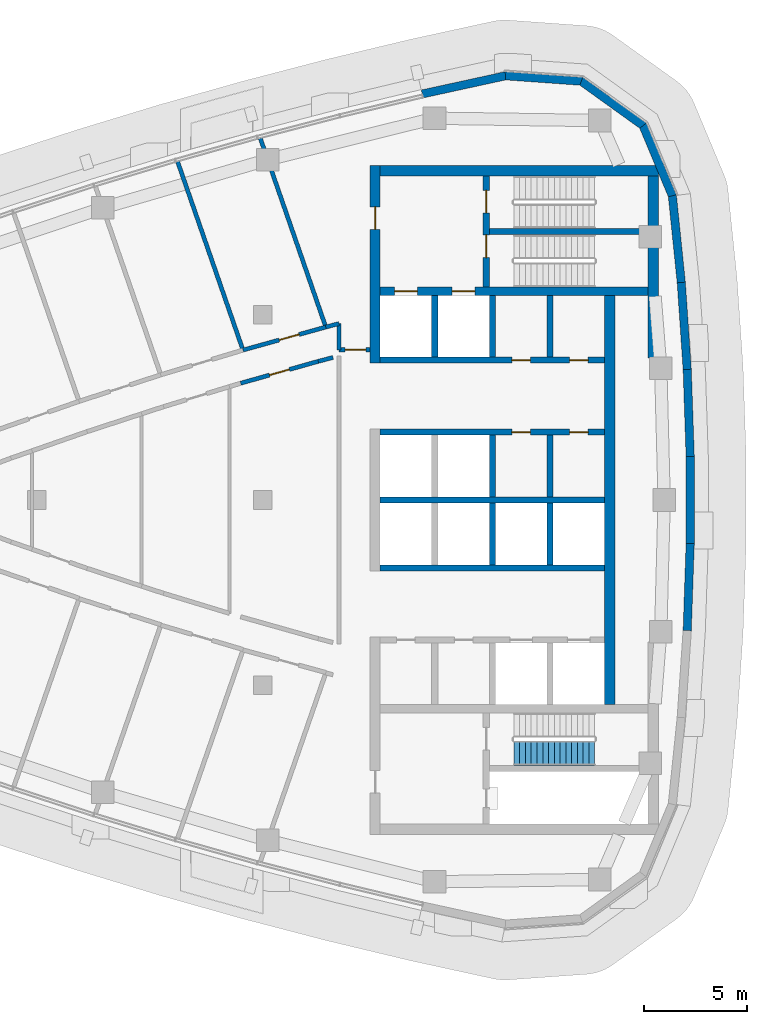
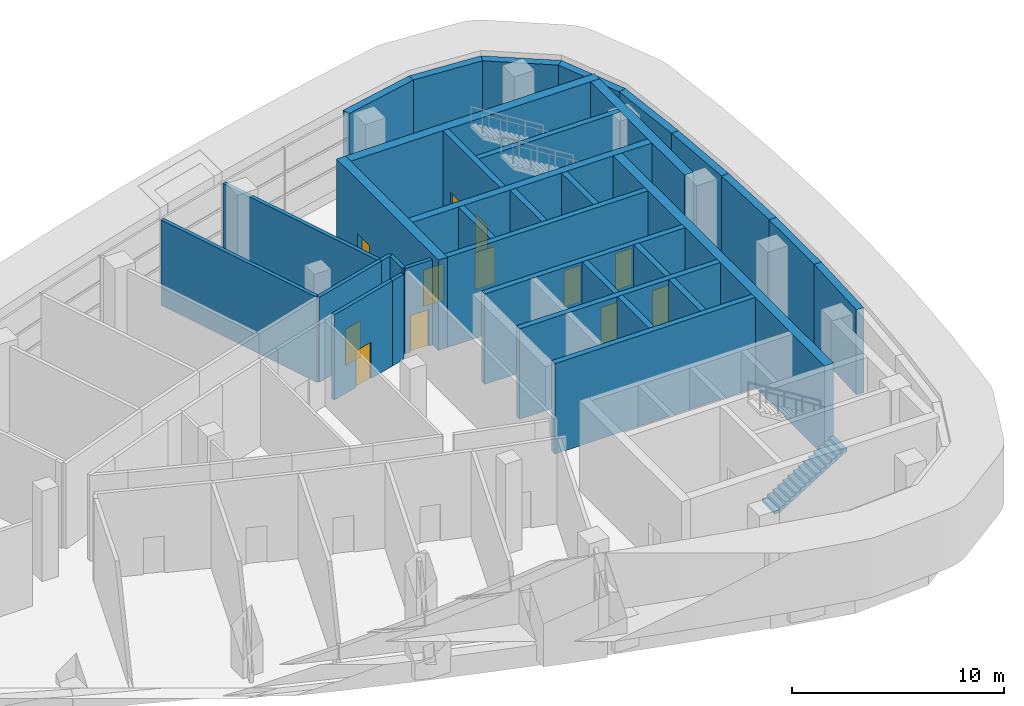
# One storey, part 9 of 14: 35 walls, 12 doors, 1 stair flight, 12 openings, 1 element without a shape of its own.
"""IFC4 building model written with IfcOpenShell, lengths in metres."""

from ifc_helpers import new_model, si_unit, direction, frame, frame_2d, origin, place, context, subcontext, project, spatial, polyline, rectangle, outline, extrude, material, layer, layer_set, type_object, element, fill, aggregate, save


model = new_model("IFC4")

# Units and contexts
model_context = context("Model", 3, precision=1e-05, world=origin(), true_north=direction((0.0, 1.0)))
body_context = subcontext(model_context, "Body", "Model", "MODEL_VIEW")
ifc_project = project(units=[si_unit("LENGTHUNIT", "METRE"), si_unit("AREAUNIT", "SQUARE_METRE"), si_unit("VOLUMEUNIT", "CUBIC_METRE"), si_unit("PLANEANGLEUNIT", "RADIAN"), si_unit("MASSUNIT", "GRAM", prefix="KILO")], contexts=[model_context])

# Site, building, storey
site_placement = place(None, origin())
site = spatial("IfcSite", under=ifc_project, at=site_placement, CompositionType="ELEMENT")
building_placement = place(site_placement, origin())
building = spatial("IfcBuilding", under=site, at=building_placement, Name="Ostrand Prow Hotel Tower", CompositionType="ELEMENT")
storey_placement = place(building_placement, frame((0.0, 0.0, 303.39990234375)))
storey = spatial("IfcBuildingStorey", under=building, at=storey_placement, Name="L77", CompositionType="ELEMENT", Elevation=303.39990234375)

# Wall
ifc_material_1 = material(Name="Concrete C50/60", Category="concrete")
ifc_layer_1 = layer(ifc_material_1, 0.300048828125)
ifc_layer_set_1 = layer_set([ifc_layer_1], Name="Concrete C50/60")
wall_type_1 = type_object("IfcWallType", Name="Core wall 300 C50/60", PredefinedType="SHEAR", material=ifc_layer_set_1)
wall_1_placement = place(storey_placement, frame((50.699951171875, 0.0, 0.0), z_axis=(0.0, 0.0, 1.0), x_axis=(1.0, 0.0, 0.0)))
element("IfcWall", 1, at=wall_1_placement, inside=storey, type_object=wall_type_1, Name="Core wall PW-C", PredefinedType="SHEAR", context=body_context, shape_type="SweptSolid", body=[
    extrude(rectangle(XDim=10.900146484375, YDim=0.300048828125, at=frame_2d((5.4501953125, 0.0))), origin(), (0.0, 0.0, 1.0), 5.2001953125),
])

# Wall, openings, doors
wall_2_placement = place(storey_placement, frame((50.699951171875, 3.300048828125, 0.0), z_axis=(0.0, 0.0, 1.0), x_axis=(1.0, 0.0, 0.0)))
wall_2 = element("IfcWall", 2, at=wall_2_placement, inside=storey, type_object=wall_type_1, Name="Core wall PW-L1-N", PredefinedType="SHEAR", context=body_context, shape_type="SweptSolid", body=[
    extrude(rectangle(XDim=10.900146484375, YDim=0.300048828125, at=frame_2d((5.4501953125, 0.0))), origin(), (0.0, 0.0, 1.0), 5.2001953125),
])
opening_1_placement = place(wall_2_placement, frame((6.39990234375, 0.0, 0.0)))
opening_1 = element("IfcOpeningElement", 3, at=opening_1_placement, cuts=wall_2, Name="Opening FD2", PredefinedType="OPENING", context=body_context, shape_type="SweptSolid", body=[
    extrude(rectangle(XDim=0.89990234375, YDim=2.10009765625, at=frame_2d((0.449951171875, 1.050048828125))), frame((0.0, 0.159912109375, 0.0), z_axis=(0.0, -1.0, 0.0), x_axis=(1.0, 0.0, 0.0)), (0.0, 0.0, 1.0), 0.320068359375),
])
opening_2_placement = place(wall_2_placement, frame((9.199951171875, 0.0, 0.0)))
opening_2 = element("IfcOpeningElement", 4, at=opening_2_placement, cuts=wall_2, Name="Opening FD2", PredefinedType="OPENING", context=body_context, shape_type="SweptSolid", body=[
    extrude(rectangle(XDim=0.89990234375, YDim=2.10009765625, at=frame_2d((0.449951171875, 1.050048828125))), frame((0.0, 0.159912109375, 0.0), z_axis=(0.0, -1.0, 0.0), x_axis=(1.0, 0.0, 0.0)), (0.0, 0.0, 1.0), 0.320068359375),
])
ifc_material_2 = material(Name="Steel fire door", Category="steel")
door_type_1 = type_object("IfcDoorType", Name="Fire door 900 EI120", OperationType="SINGLE_SWING_LEFT", PredefinedType="DOOR", material=ifc_material_2)
door_1_placement = place(opening_1_placement, origin())
door_1 = element("IfcDoor", 5, at=door_1_placement, inside=storey, type_object=door_type_1, Name="DOOR", OperationType="SINGLE_SWING_LEFT", OverallHeight=2.10009765625, OverallWidth=0.89990234375, PredefinedType="DOOR", context=body_context, shape_type="SweptSolid", body=[
    extrude(rectangle(XDim=0.89990234375, YDim=2.10009765625, at=frame_2d((0.449951171875, 1.050048828125))), frame((0.0, 0.02490234375, 0.0), z_axis=(0.0, -1.0, 0.0), x_axis=(1.0, 0.0, 0.0)), (0.0, 0.0, 1.0), 0.050048828125),
])
fill(opening_1, door_1)
door_2_placement = place(opening_2_placement, origin())
door_2 = element("IfcDoor", 6, at=door_2_placement, inside=storey, type_object=door_type_1, Name="DOOR", OperationType="SINGLE_SWING_LEFT", OverallHeight=2.10009765625, OverallWidth=0.89990234375, PredefinedType="DOOR", context=body_context, shape_type="SweptSolid", body=[
    extrude(rectangle(XDim=0.89990234375, YDim=2.10009765625, at=frame_2d((0.449951171875, 1.050048828125))), frame((0.0, 0.02490234375, 0.0), z_axis=(0.0, -1.0, 0.0), x_axis=(1.0, 0.0, 0.0)), (0.0, 0.0, 1.0), 0.050048828125),
])
fill(opening_2, door_2)

wall_3_placement = place(storey_placement, frame((50.699951171875, 6.800048828125, 0.0), z_axis=(0.0, 0.0, 1.0), x_axis=(1.0, 0.0, 0.0)))
wall_3 = element("IfcWall", 7, at=wall_3_placement, inside=storey, type_object=wall_type_1, Name="Core wall PW-L2-N", PredefinedType="SHEAR", context=body_context, shape_type="SweptSolid", body=[
    extrude(rectangle(XDim=10.900146484375, YDim=0.300048828125, at=frame_2d((5.4501953125, 0.0))), origin(), (0.0, 0.0, 1.0), 5.2001953125),
])
opening_3_placement = place(wall_3_placement, frame((6.39990234375, 0.0, 0.0)))
opening_3 = element("IfcOpeningElement", 8, at=opening_3_placement, cuts=wall_3, Name="Opening FD2", PredefinedType="OPENING", context=body_context, shape_type="SweptSolid", body=[
    extrude(rectangle(XDim=0.89990234375, YDim=2.10009765625, at=frame_2d((0.449951171875, 1.050048828125))), frame((0.0, 0.159912109375, 0.0), z_axis=(0.0, -1.0, 0.0), x_axis=(1.0, 0.0, 0.0)), (0.0, 0.0, 1.0), 0.320068359375),
])
opening_4_placement = place(wall_3_placement, frame((9.199951171875, 0.0, 0.0)))
opening_4 = element("IfcOpeningElement", 9, at=opening_4_placement, cuts=wall_3, Name="Opening FD2", PredefinedType="OPENING", context=body_context, shape_type="SweptSolid", body=[
    extrude(rectangle(XDim=0.89990234375, YDim=2.10009765625, at=frame_2d((0.449951171875, 1.050048828125))), frame((0.0, 0.159912109375, 0.0), z_axis=(0.0, -1.0, 0.0), x_axis=(1.0, 0.0, 0.0)), (0.0, 0.0, 1.0), 0.320068359375),
])
door_3_placement = place(opening_3_placement, origin())
door_3 = element("IfcDoor", 10, at=door_3_placement, inside=storey, type_object=door_type_1, Name="DOOR", OperationType="SINGLE_SWING_LEFT", OverallHeight=2.10009765625, OverallWidth=0.89990234375, PredefinedType="DOOR", context=body_context, shape_type="SweptSolid", body=[
    extrude(rectangle(XDim=0.89990234375, YDim=2.10009765625, at=frame_2d((0.449951171875, 1.050048828125))), frame((0.0, 0.02490234375, 0.0), z_axis=(0.0, -1.0, 0.0), x_axis=(1.0, 0.0, 0.0)), (0.0, 0.0, 1.0), 0.050048828125),
])
fill(opening_3, door_3)
door_4_placement = place(opening_4_placement, origin())
door_4 = element("IfcDoor", 11, at=door_4_placement, inside=storey, type_object=door_type_1, Name="DOOR", OperationType="SINGLE_SWING_LEFT", OverallHeight=2.10009765625, OverallWidth=0.89990234375, PredefinedType="DOOR", context=body_context, shape_type="SweptSolid", body=[
    extrude(rectangle(XDim=0.89990234375, YDim=2.10009765625, at=frame_2d((0.449951171875, 1.050048828125))), frame((0.0, 0.02490234375, 0.0), z_axis=(0.0, -1.0, 0.0), x_axis=(1.0, 0.0, 0.0)), (0.0, 0.0, 1.0), 0.050048828125),
])
fill(opening_4, door_4)

# Walls
for number, where, z_axis, x_axis, name in (
    (12, (53.35009765625, 6.949951171875, 0.0), (0.0, 0.0, 1.0), (0.0, 1.0, 0.0), "Core wall PW-R1-NA"),
    (13, (56.14990234375, 0.14990234375, 0.0), (0.0, 0.0, 1.0), (0.0, 1.0, 0.0), "Core wall PW-R2-NB"),
    (14, (56.14990234375, 6.949951171875, 0.0), (0.0, 0.0, 1.0), (0.0, 1.0, 0.0), "Core wall PW-R2-NA"),
    (15, (58.949951171875, 0.14990234375, 0.0), (0.0, 0.0, 1.0), (0.0, 1.0, 0.0), "Core wall PW-R3-NB"),
    (16, (58.949951171875, 6.949951171875, 0.0), (0.0, 0.0, 1.0), (0.0, 1.0, 0.0), "Core wall PW-R3-NA"),
):
    element("IfcWall", number, at=place(storey_placement, frame(where, z_axis=z_axis, x_axis=x_axis)), inside=storey, type_object=wall_type_1, Name=name, PredefinedType="SHEAR", context=body_context, shape_type="SweptSolid", body=[
        extrude(rectangle(XDim=3.0, YDim=0.300048828125, at=frame_2d((1.5, 0.0))), origin(), (0.0, 0.0, 1.0), 5.2001953125),
    ])
wall_4_placement = place(storey_placement, frame((50.699951171875, -3.300048828125, 0.0), z_axis=(0.0, 0.0, 1.0), x_axis=(1.0, 0.0, 0.0)))
element("IfcWall", 17, at=wall_4_placement, inside=storey, type_object=wall_type_1, Name="Core wall PW-L1-S", PredefinedType="SHEAR", context=body_context, shape_type="SweptSolid", body=[
    extrude(rectangle(XDim=10.900146484375, YDim=0.300048828125, at=frame_2d((5.4501953125, 0.0))), origin(), (0.0, 0.0, 1.0), 5.2001953125),
])
for number, where, z_axis, x_axis, name in (
    (18, (56.14990234375, -3.14990234375, 0.0), (0.0, 0.0, 1.0), (0.0, 1.0, 0.0), "Core wall PW-R2-SB"),
    (19, (58.949951171875, -3.14990234375, 0.0), (0.0, 0.0, 1.0), (0.0, 1.0, 0.0), "Core wall PW-R3-SB"),
):
    element("IfcWall", number, at=place(storey_placement, frame(where, z_axis=z_axis, x_axis=x_axis)), inside=storey, type_object=wall_type_1, Name=name, PredefinedType="SHEAR", context=body_context, shape_type="SweptSolid", body=[
        extrude(rectangle(XDim=3.0, YDim=0.300048828125, at=frame_2d((1.5, 0.0))), origin(), (0.0, 0.0, 1.0), 5.2001953125),
    ])

# Wall, openings, doors
wall_5_placement = place(storey_placement, frame((55.85009765625, 10.35009765625, 0.0), z_axis=(0.0, 0.0, 1.0), x_axis=(0.0, 1.0, 0.0)))
wall_5 = element("IfcWall", 20, at=wall_5_placement, inside=storey, type_object=wall_type_1, Name="Core wall PW-VN", PredefinedType="SHEAR", context=body_context, shape_type="SweptSolid", body=[
    extrude(rectangle(XDim=5.39990234375, YDim=0.300048828125, at=frame_2d((2.699951171875, 0.0))), origin(), (0.0, 0.0, 1.0), 5.2001953125),
])
opening_5_placement = place(wall_5_placement, frame((1.429931640625, 0.0, 0.0)))
opening_5 = element("IfcOpeningElement", 21, at=opening_5_placement, cuts=wall_5, Name="Opening FD1", PredefinedType="OPENING", context=body_context, shape_type="SweptSolid", body=[
    extrude(rectangle(XDim=1.10009765625, YDim=2.10009765625, at=frame_2d((0.550048828125, 1.050048828125))), frame((0.0, 0.159912109375, 0.0), z_axis=(0.0, -1.0, 0.0), x_axis=(1.0, 0.0, 0.0)), (0.0, 0.0, 1.0), 0.320068359375),
])
opening_6_placement = place(wall_5_placement, frame((3.60009765625, 0.0, 0.0)))
opening_6 = element("IfcOpeningElement", 22, at=opening_6_placement, cuts=wall_5, Name="Opening FD1", PredefinedType="OPENING", context=body_context, shape_type="SweptSolid", body=[
    extrude(rectangle(XDim=1.10009765625, YDim=2.10009765625, at=frame_2d((0.550048828125, 1.050048828125))), frame((0.0, 0.159912109375, 0.0), z_axis=(0.0, -1.0, 0.0), x_axis=(1.0, 0.0, 0.0)), (0.0, 0.0, 1.0), 0.320068359375),
])
ifc_material_3 = material(Name="Steel fire door", Category="steel")
door_type_2 = type_object("IfcDoorType", Name="Fire door 1100 EI120", OperationType="SINGLE_SWING_RIGHT", PredefinedType="DOOR", material=ifc_material_3)
door_5_placement = place(opening_5_placement, origin())
door_5 = element("IfcDoor", 23, at=door_5_placement, inside=storey, type_object=door_type_2, Name="FIRE DOOR", OperationType="SINGLE_SWING_RIGHT", OverallHeight=2.10009765625, OverallWidth=1.10009765625, PredefinedType="DOOR", context=body_context, shape_type="SweptSolid", body=[
    extrude(rectangle(XDim=1.10009765625, YDim=2.10009765625, at=frame_2d((0.550048828125, 1.050048828125))), frame((0.0, 0.02490234375, 0.0), z_axis=(0.0, -1.0, 0.0), x_axis=(1.0, 0.0, 0.0)), (0.0, 0.0, 1.0), 0.050048828125),
])
fill(opening_5, door_5)
door_6_placement = place(opening_6_placement, origin())
door_6 = element("IfcDoor", 24, at=door_6_placement, inside=storey, type_object=door_type_2, Name="FIRE DOOR", OperationType="SINGLE_SWING_RIGHT", OverallHeight=2.10009765625, OverallWidth=1.10009765625, PredefinedType="DOOR", context=body_context, shape_type="SweptSolid", body=[
    extrude(rectangle(XDim=1.10009765625, YDim=2.10009765625, at=frame_2d((0.550048828125, 1.050048828125))), frame((0.0, 0.02490234375, 0.0), z_axis=(0.0, -1.0, 0.0), x_axis=(1.0, 0.0, 0.0)), (0.0, 0.0, 1.0), 0.050048828125),
])
fill(opening_6, door_6)

# Wall
wall_6_placement = place(storey_placement, frame((56.0, 13.050048828125, 0.0), z_axis=(0.0, 0.0, 1.0), x_axis=(1.0, 0.0, 0.0)))
element("IfcWall", 25, at=wall_6_placement, inside=storey, type_object=wall_type_1, Name="Core wall PW-ST13", PredefinedType="SHEAR", context=body_context, shape_type="SweptSolid", body=[
    extrude(rectangle(XDim=7.719970703125, YDim=0.300048828125, at=frame_2d((3.85986328125, 0.0))), origin(), (0.0, 0.0, 1.0), 5.2001953125),
])

# Wall, openings, doors
ifc_material_4 = material(Name="Concrete C50/60", Category="concrete")
ifc_layer_2 = layer(ifc_material_4, 0.39990234375)
ifc_layer_set_2 = layer_set([ifc_layer_2], Name="Concrete C50/60")
wall_type_2 = type_object("IfcWallType", Name="Core wall 400 C50/60", PredefinedType="SHEAR", material=ifc_layer_set_2)
wall_7_placement = place(storey_placement, frame((50.699951171875, 10.14990234375, 0.0), z_axis=(0.0, 0.0, 1.0), x_axis=(1.0, 0.0, 0.0)))
wall_7 = element("IfcWall", 26, at=wall_7_placement, inside=storey, type_object=wall_type_2, Name="Core wall PW-BN", PredefinedType="SHEAR", context=body_context, shape_type="SweptSolid", body=[
    extrude(rectangle(XDim=13.02001953125, YDim=0.39990234375, at=frame_2d((6.510009765625, 0.0))), origin(), (0.0, 0.0, 1.0), 5.2001953125),
])
opening_7_placement = place(wall_7_placement, frame((0.699951171875, 0.0, 0.0)))
opening_7 = element("IfcOpeningElement", 27, at=opening_7_placement, cuts=wall_7, Name="Opening LD", PredefinedType="OPENING", context=body_context, shape_type="SweptSolid", body=[
    extrude(rectangle(XDim=1.10009765625, YDim=2.10009765625, at=frame_2d((0.550048828125, 1.050048828125))), frame((0.0, 0.2099609375, 0.0), z_axis=(0.0, -1.0, 0.0), x_axis=(1.0, 0.0, 0.0)), (0.0, 0.0, 1.0), 0.419921875),
])
opening_8_placement = place(wall_7_placement, frame((3.5, 0.0, 0.0)))
opening_8 = element("IfcOpeningElement", 28, at=opening_8_placement, cuts=wall_7, Name="Opening LD", PredefinedType="OPENING", context=body_context, shape_type="SweptSolid", body=[
    extrude(rectangle(XDim=1.10009765625, YDim=2.10009765625, at=frame_2d((0.550048828125, 1.050048828125))), frame((0.0, 0.2099609375, 0.0), z_axis=(0.0, -1.0, 0.0), x_axis=(1.0, 0.0, 0.0)), (0.0, 0.0, 1.0), 0.419921875),
])
ifc_material_5 = material(Name="Stainless steel door", Category="steel")
door_type_3 = type_object("IfcDoorType", Name="Lift landing door 1100", OperationType="DOUBLE_DOOR_SLIDING", PredefinedType="DOOR", material=ifc_material_5)
door_7_placement = place(opening_7_placement, origin())
door_7 = element("IfcDoor", 29, at=door_7_placement, inside=storey, type_object=door_type_3, Name="LIFT LANDING DOOR", OperationType="DOUBLE_DOOR_SLIDING", OverallHeight=2.10009765625, OverallWidth=1.10009765625, PredefinedType="DOOR", context=body_context, shape_type="SweptSolid", body=[
    extrude(rectangle(XDim=1.10009765625, YDim=2.10009765625, at=frame_2d((0.550048828125, 1.050048828125))), frame((0.0, 0.02490234375, 0.0), z_axis=(0.0, -1.0, 0.0), x_axis=(1.0, 0.0, 0.0)), (0.0, 0.0, 1.0), 0.050048828125),
])
fill(opening_7, door_7)
door_8_placement = place(opening_8_placement, origin())
door_8 = element("IfcDoor", 30, at=door_8_placement, inside=storey, type_object=door_type_3, Name="LIFT LANDING DOOR", OperationType="DOUBLE_DOOR_SLIDING", OverallHeight=2.10009765625, OverallWidth=1.10009765625, PredefinedType="DOOR", context=body_context, shape_type="SweptSolid", body=[
    extrude(rectangle(XDim=1.10009765625, YDim=2.10009765625, at=frame_2d((0.550048828125, 1.050048828125))), frame((0.0, 0.02490234375, 0.0), z_axis=(0.0, -1.0, 0.0), x_axis=(1.0, 0.0, 0.0)), (0.0, 0.0, 1.0), 0.050048828125),
])
fill(opening_8, door_8)

# Wall, opening, door
ifc_material_6 = material(Name="Concrete C50/60", Category="concrete")
ifc_layer_3 = layer(ifc_material_6, 0.5)
ifc_layer_set_3 = layer_set([ifc_layer_3], Name="Concrete C50/60")
wall_type_3 = type_object("IfcWallType", Name="Core wall 500 C50/60", PredefinedType="SHEAR", material=ifc_layer_set_3)
wall_8_placement = place(storey_placement, frame((50.449951171875, 6.64990234375, 0.0), z_axis=(0.0, 0.0, 1.0), x_axis=(0.0, 1.0, 0.0)))
wall_8 = element("IfcWall", 31, at=wall_8_placement, inside=storey, type_object=wall_type_3, Name="Core wall CW-W-N", PredefinedType="SHEAR", context=body_context, shape_type="SweptSolid", body=[
    extrude(rectangle(XDim=9.60009765625, YDim=0.5, at=frame_2d((4.800048828125, 0.0))), origin(), (0.0, 0.0, 1.0), 5.2001953125),
])
opening_9_placement = place(wall_8_placement, frame((6.5, 0.0, 0.0)))
opening_9 = element("IfcOpeningElement", 32, at=opening_9_placement, cuts=wall_8, Name="Opening FD1", PredefinedType="OPENING", context=body_context, shape_type="SweptSolid", body=[
    extrude(rectangle(XDim=1.10009765625, YDim=2.10009765625, at=frame_2d((0.550048828125, 1.050048828125))), frame((0.0, 0.260009765625, 0.0), z_axis=(0.0, -1.0, 0.0), x_axis=(1.0, 0.0, 0.0)), (0.0, 0.0, 1.0), 0.52001953125),
])
door_9_placement = place(opening_9_placement, origin())
door_9 = element("IfcDoor", 33, at=door_9_placement, inside=storey, type_object=door_type_2, Name="FIRE DOOR", OperationType="SINGLE_SWING_RIGHT", OverallHeight=2.10009765625, OverallWidth=1.10009765625, PredefinedType="DOOR", context=body_context, shape_type="SweptSolid", body=[
    extrude(rectangle(XDim=1.10009765625, YDim=2.10009765625, at=frame_2d((0.550048828125, 1.050048828125))), frame((0.0, 0.02490234375, 0.0), z_axis=(0.0, -1.0, 0.0), x_axis=(1.0, 0.0, 0.0)), (0.0, 0.0, 1.0), 0.050048828125),
])
fill(opening_9, door_9)

# Walls
wall_9_placement = place(storey_placement, frame((50.699951171875, 16.0, 0.0), z_axis=(0.0, 0.0, 1.0), x_axis=(1.0, 0.0, 0.0)))
element("IfcWall", 34, at=wall_9_placement, inside=storey, type_object=wall_type_3, Name="Core wall CW-N", PredefinedType="SHEAR", context=body_context, shape_type="SweptSolid", body=[
    extrude(rectangle(XDim=13.52001953125, YDim=0.5, at=frame_2d((6.760009765625, 0.0))), origin(), (0.0, 0.0, 1.0), 5.2001953125),
])
wall_10_placement = place(storey_placement, frame((63.969970703125, 6.9033203125, 0.0), z_axis=(0.0, 0.0, 1.0), x_axis=(0.0, 1.0, 0.0)))
element("IfcWall", 35, at=wall_10_placement, inside=storey, type_object=wall_type_3, Name="Core wall CW-E-N", PredefinedType="SHEAR", context=body_context, shape_type="SweptSolid", body=[
    extrude(rectangle(XDim=8.8466796875, YDim=0.5, at=frame_2d((4.42333984375, 0.0))), origin(), (0.0, 0.0, 1.0), 5.2001953125),
])
wall_11_placement = place(storey_placement, frame((61.85009765625, -9.949951171875, 0.0), z_axis=(0.0, 0.0, 1.0), x_axis=(0.0, 1.0, 0.0)))
element("IfcWall", 36, at=wall_11_placement, inside=storey, type_object=wall_type_3, Name="Core wall CW-E-C", PredefinedType="SHEAR", context=body_context, shape_type="SweptSolid", body=[
    extrude(rectangle(XDim=19.89990234375, YDim=0.5, at=frame_2d((9.949951171875, 0.0))), origin(), (0.0, 0.0, 1.0), 5.2001953125),
])

# Wall, opening, door
ifc_material_7 = material(Name="Plasterboard partition")
ifc_layer_4 = layer(ifc_material_7, 0.199951171875)
ifc_layer_set_4 = layer_set([ifc_layer_4], Name="Plasterboard partition")
wall_type_4 = type_object("IfcWallType", Name="Partition 200 corridor wall", PredefinedType="PARTITIONING", material=ifc_layer_set_4)
wall_12_placement = place(storey_placement, frame((48.055908203125, 8.4052734375, 0.0), z_axis=(0.0, 0.0, 1.0), x_axis=(-0.963429942227, -0.267960344866, 0.0)))
wall_12 = element("IfcWall", 37, at=wall_12_placement, inside=storey, type_object=wall_type_4, Name="CORRIDOR WALL", PredefinedType="PARTITIONING", context=body_context, shape_type="SweptSolid", body=[
    extrude(rectangle(XDim=4.177490234375, YDim=0.199951171875, at=frame_2d((2.0888671875, 0.0))), origin(), (0.0, 0.0, 1.0), 4.900146484375),
])
opening_10_placement = place(wall_12_placement, frame((1.35009765625, 0.0, 0.0)))
opening_10 = element("IfcOpeningElement", 38, at=opening_10_placement, cuts=wall_12, Name="Opening D1", PredefinedType="OPENING", context=body_context, shape_type="SweptSolid", body=[
    extrude(rectangle(XDim=1.0, YDim=2.10009765625, at=frame_2d((0.5, 1.050048828125))), frame((0.0, 0.10986328125, 0.0), z_axis=(0.0, -1.0, 0.0), x_axis=(1.0, 0.0, 0.0)), (0.0, 0.0, 1.0), 0.219970703125),
])
ifc_material_8 = material(Name="Timber door leaf", Category="wood")
door_type_4 = type_object("IfcDoorType", Name="Guest room door 1000", OperationType="SINGLE_SWING_LEFT", PredefinedType="DOOR", material=ifc_material_8)
door_10_placement = place(opening_10_placement, origin())
door_10 = element("IfcDoor", 39, at=door_10_placement, inside=storey, type_object=door_type_4, Name="DOOR", OperationType="SINGLE_SWING_LEFT", OverallHeight=2.10009765625, OverallWidth=1.0, PredefinedType="DOOR", context=body_context, shape_type="SweptSolid", body=[
    extrude(rectangle(XDim=1.0, YDim=2.10009765625, at=frame_2d((0.5, 1.050048828125))), frame((0.0, 0.02490234375, 0.0), z_axis=(0.0, -1.0, 0.0), x_axis=(1.0, 0.0, 0.0)), (0.0, 0.0, 1.0), 0.050048828125),
])
fill(opening_10, door_10)

# Wall
wall_13_placement = place(storey_placement, frame((48.699951171875, 8.5732421875, 0.0), z_axis=(0.0, 0.0, 1.0), x_axis=(-0.967632851671, -0.252362169048, 0.0)))
element("IfcWall", 40, at=wall_13_placement, inside=storey, type_object=wall_type_4, Name="CORRIDOR WALL", PredefinedType="PARTITIONING", context=body_context, shape_type="SweptSolid", body=[
    extrude(rectangle(XDim=0.66552734375, YDim=0.199951171875, at=frame_2d((0.332763671875, 0.0))), origin(), (0.0, 0.0, 1.0), 4.900146484375),
])

# Wall, opening, door
wall_14_placement = place(storey_placement, frame((43.91845703125, 5.6748046875, 0.0), z_axis=(0.0, 0.0, 1.0), x_axis=(0.962411212211, 0.271596499628, 0.0)))
wall_14 = element("IfcWall", 41, at=wall_14_placement, inside=storey, type_object=wall_type_4, Name="CORRIDOR WALL", PredefinedType="PARTITIONING", context=body_context, shape_type="SweptSolid", body=[
    extrude(rectangle(XDim=3.912841796875, YDim=0.199951171875, at=frame_2d((1.95654296875, 0.0))), origin(), (0.0, 0.0, 1.0), 4.900146484375),
])
opening_11_placement = place(wall_14_placement, frame((1.45654296875, 0.0, 0.0)))
opening_11 = element("IfcOpeningElement", 42, at=opening_11_placement, cuts=wall_14, Name="Opening D1R", PredefinedType="OPENING", context=body_context, shape_type="SweptSolid", body=[
    extrude(rectangle(XDim=1.0, YDim=2.10009765625, at=frame_2d((0.5, 1.050048828125))), frame((0.0, 0.10986328125, 0.0), z_axis=(0.0, -1.0, 0.0), x_axis=(1.0, 0.0, 0.0)), (0.0, 0.0, 1.0), 0.219970703125),
])
ifc_material_9 = material(Name="Timber door leaf", Category="wood")
door_type_5 = type_object("IfcDoorType", Name="Guest room door 1000 right", OperationType="SINGLE_SWING_RIGHT", PredefinedType="DOOR", material=ifc_material_9)
door_11_placement = place(opening_11_placement, origin())
door_11 = element("IfcDoor", 43, at=door_11_placement, inside=storey, type_object=door_type_5, Name="DOOR", OperationType="SINGLE_SWING_RIGHT", OverallHeight=2.10009765625, OverallWidth=1.0, PredefinedType="DOOR", context=body_context, shape_type="SweptSolid", body=[
    extrude(rectangle(XDim=1.0, YDim=2.10009765625, at=frame_2d((0.5, 1.050048828125))), frame((0.0, 0.02490234375, 0.0), z_axis=(0.0, -1.0, 0.0), x_axis=(1.0, 0.0, 0.0)), (0.0, 0.0, 1.0), 0.050048828125),
])
fill(opening_11, door_11)

# Walls
wall_15_placement = place(storey_placement, frame((47.684326171875, 6.737548828125, 0.0), z_axis=(0.0, 0.0, 1.0), x_axis=(0.967603342854, 0.252475287698, 0.0)))
element("IfcWall", 44, at=wall_15_placement, inside=storey, type_object=wall_type_4, Name="CORRIDOR WALL", PredefinedType="PARTITIONING", context=body_context, shape_type="SweptSolid", body=[
    extrude(rectangle(XDim=0.74462890625, YDim=0.199951171875, at=frame_2d((0.372314453125, 0.0))), origin(), (0.0, 0.0, 1.0), 4.900146484375),
])
wall_16_placement = place(storey_placement, frame((48.699951171875, 7.300048828125, 0.0), z_axis=(0.0, 0.0, 1.0), x_axis=(0.0, 1.0, 0.0)))
element("IfcWall", 45, at=wall_16_placement, inside=storey, type_object=wall_type_4, Name="CORRIDOR WALL", PredefinedType="PARTITIONING", context=body_context, shape_type="SweptSolid", body=[
    extrude(rectangle(XDim=1.273193359375, YDim=0.199951171875, at=frame_2d((0.63671875, 0.0))), origin(), (0.0, 0.0, 1.0), 4.900146484375),
])
ifc_material_10 = material(Name="Plasterboard partition")
ifc_layer_5 = layer(ifc_material_10, 0.199951171875)
ifc_layer_set_5 = layer_set([ifc_layer_5], Name="Plasterboard partition")
wall_type_5 = type_object("IfcWallType", Name="Partition 200 key partition", PredefinedType="PARTITIONING", material=ifc_layer_set_5)
wall_17_placement = place(storey_placement, frame((44.037841796875, 7.266845703125, 0.0), z_axis=(0.0, 0.0, 1.0), x_axis=(-0.327714576096, 0.944776776077, 0.0)))
element("IfcWall", 46, at=wall_17_placement, inside=storey, type_object=wall_type_5, Name="KEY PARTITION", PredefinedType="PARTITIONING", context=body_context, shape_type="SweptSolid", body=[
    extrude(rectangle(XDim=9.716796875, YDim=0.199951171875, at=frame_2d((4.8583984375, 0.0))), origin(), (0.0, 0.0, 1.0), 4.900146484375),
])
wall_18_placement = place(storey_placement, frame((48.0625, 8.38623046875, 0.0), z_axis=(0.0, 0.0, 1.0), x_axis=(-0.327713742235, 0.944777065318, 0.0)))
element("IfcWall", 47, at=wall_18_placement, inside=storey, type_object=wall_type_5, Name="KEY PARTITION", PredefinedType="PARTITIONING", context=body_context, shape_type="SweptSolid", body=[
    extrude(rectangle(XDim=9.730224609375, YDim=0.199951171875, at=frame_2d((4.865234375, 0.0))), origin(), (0.0, 0.0, 1.0), 4.900146484375),
])

# Wall, opening, door
ifc_material_11 = material(Name="Plasterboard partition")
ifc_layer_6 = layer(ifc_material_11, 0.199951171875)
ifc_layer_set_6 = layer_set([ifc_layer_6], Name="Plasterboard partition")
wall_type_6 = type_object("IfcWallType", Name="Partition 200 refuge wall", PredefinedType="PARTITIONING", material=ifc_layer_set_6)
wall_19_placement = place(storey_placement, frame((48.699951171875, 7.300048828125, 0.0), z_axis=(0.0, 0.0, 1.0), x_axis=(1.0, 0.0, 0.0)))
wall_19 = element("IfcWall", 48, at=wall_19_placement, inside=storey, type_object=wall_type_6, Name="REFUGE WALL", PredefinedType="PARTITIONING", context=body_context, shape_type="SweptSolid", body=[
    extrude(rectangle(XDim=1.5, YDim=0.199951171875, at=frame_2d((0.75, 0.0))), origin(), (0.0, 0.0, 1.0), 4.900146484375),
])
opening_12_placement = place(wall_19_placement, frame((0.300048828125, 0.0, 0.0)))
opening_12 = element("IfcOpeningElement", 49, at=opening_12_placement, cuts=wall_19, Name="Opening D1", PredefinedType="OPENING", context=body_context, shape_type="SweptSolid", body=[
    extrude(rectangle(XDim=1.0, YDim=2.10009765625, at=frame_2d((0.5, 1.050048828125))), frame((0.0, 0.10986328125, 0.0), z_axis=(0.0, -1.0, 0.0), x_axis=(1.0, 0.0, 0.0)), (0.0, 0.0, 1.0), 0.219970703125),
])
door_12_placement = place(opening_12_placement, origin())
door_12 = element("IfcDoor", 50, at=door_12_placement, inside=storey, type_object=door_type_4, Name="DOOR", OperationType="SINGLE_SWING_LEFT", OverallHeight=2.10009765625, OverallWidth=1.0, PredefinedType="DOOR", context=body_context, shape_type="SweptSolid", body=[
    extrude(rectangle(XDim=1.0, YDim=2.10009765625, at=frame_2d((0.5, 1.050048828125))), frame((0.0, 0.02490234375, 0.0), z_axis=(0.0, -1.0, 0.0), x_axis=(1.0, 0.0, 0.0)), (0.0, 0.0, 1.0), 0.050048828125),
])
fill(opening_12, door_12)

# Walls
ifc_material_12 = material(Name="Precast concrete C40/50", Category="concrete")
ifc_layer_7 = layer(ifc_material_12, 0.39990234375)
ifc_layer_set_7 = layer_set([ifc_layer_7], Name="Precast concrete C40/50")
wall_type_7 = type_object("IfcWallType", Name="Stone-faced precast wall 400 mm", PredefinedType="NOTDEFINED", material=ifc_layer_set_7)
for number, where, z_axis, x_axis, name in (
    (51, (65.6201171875, -6.34765625, 0.0), (0.0, 0.0, 1.0), (0.034082898699, 0.999419009233, 0.0), "Stone-faced wall back 7"),
    (52, (65.764404296875, -2.11669921875, 0.0), (0.0, 0.0, 1.0), (0.0, 1.0, 0.0), "Stone-faced wall back 8"),
    (53, (65.764404296875, 2.11669921875, 0.0), (0.0, 0.0, 1.0), (-0.034082898699, 0.999419009233, 0.0), "Stone-faced wall back 9"),
    (54, (65.6201171875, 6.34765625, 0.0), (0.0, 0.0, 1.0), (-0.068279584479, 0.997666225921, 0.0), "Stone-faced wall back 10"),
):
    element("IfcWall", number, at=place(storey_placement, frame(where, z_axis=z_axis, x_axis=x_axis)), inside=storey, type_object=wall_type_7, Name=name, PredefinedType="NOTDEFINED", context=body_context, shape_type="SweptSolid", body=[
        extrude(outline(polyline([(-0.00341796875, -0.199951171875), (4.23681640625, -0.199951171875), (4.22998046875, 0.199951171875), (0.00341796875, 0.199951171875), (-0.00341796875, -0.199951171875)])), origin(), (0.0, 0.0, 1.0), 4.900146484375),
    ])
wall_20_placement = place(storey_placement, frame((65.3310546875, 10.5712890625, 0.0), z_axis=(0.0, 0.0, 1.0), x_axis=(-0.102249826987, 0.994758751096, 0.0)))
element("IfcWall", 55, at=wall_20_placement, inside=storey, type_object=wall_type_7, Name="Stone-faced wall back 11", PredefinedType="NOTDEFINED", context=body_context, shape_type="SweptSolid", body=[
    extrude(outline(polyline([(-0.00341796875, -0.199951171875), (4.262939453125, -0.199951171875), (4.203857421875, 0.199951171875), (0.00341796875, 0.199951171875), (-0.00341796875, -0.199951171875)])), origin(), (0.0, 0.0, 1.0), 4.900146484375),
])
wall_21_placement = place(storey_placement, frame((64.898193359375, 14.782470703125, 0.0), z_axis=(0.0, 0.0, 1.0), x_axis=(-0.385285857918, 0.922797273343, 0.0)))
element("IfcWall", 56, at=wall_21_placement, inside=storey, type_object=wall_type_7, Name="Stone-faced wall back 12", PredefinedType="NOTDEFINED", context=body_context, shape_type="SweptSolid", body=[
    extrude(outline(polyline([(-0.029541015625, -0.199951171875), (3.75341796875, -0.199951171875), (3.64013671875, 0.199951171875), (0.029541015625, 0.199951171875), (-0.029541015625, -0.199951171875)])), origin(), (0.0, 0.0, 1.0), 4.900146484375),
])
wall_22_placement = place(storey_placement, frame((63.473876953125, 18.19384765625, 0.0), z_axis=(0.0, 0.0, 1.0), x_axis=(-0.811962548682, 0.583709533533, 0.0)))
element("IfcWall", 57, at=wall_22_placement, inside=storey, type_object=wall_type_7, Name="Stone-faced wall back 13", PredefinedType="NOTDEFINED", context=body_context, shape_type="SweptSolid", body=[
    extrude(outline(polyline([(-0.056640625, -0.199951171875), (3.753173828125, -0.199951171875), (3.639892578125, 0.199951171875), (0.056640625, 0.199951171875), (-0.056640625, -0.199951171875)])), origin(), (0.0, 0.0, 1.0), 4.900146484375),
])
wall_23_placement = place(storey_placement, frame((60.472412109375, 20.3515625, 0.0), z_axis=(0.0, 0.0, 1.0), x_axis=(-0.99746272096, 0.071190731806, 0.0)))
element("IfcWall", 58, at=wall_23_placement, inside=storey, type_object=wall_type_7, Name="Stone-faced wall back 14", PredefinedType="NOTDEFINED", context=body_context, shape_type="SweptSolid", body=[
    extrude(outline(polyline([(-0.056640625, -0.199951171875), (3.7255859375, -0.199951171875), (3.66796875, 0.199951171875), (0.056640625, 0.199951171875), (-0.056640625, -0.199951171875)])), origin(), (0.0, 0.0, 1.0), 4.900146484375),
])
wall_24_placement = place(storey_placement, frame((56.784912109375, 20.61474609375, 0.0), z_axis=(0.0, 0.0, 1.0), x_axis=(-0.977020225348, -0.213146614471, 0.0)))
element("IfcWall", 59, at=wall_24_placement, inside=storey, type_object=wall_type_7, Name="Stone-faced wall back 15", PredefinedType="NOTDEFINED", context=body_context, shape_type="SweptSolid", body=[
    extrude(outline(polyline([(-0.02880859375, -0.199951171875), (4.141845703125, -0.199951171875), (4.141845703125, 0.199951171875), (0.02880859375, 0.199951171875), (-0.02880859375, -0.199951171875)])), origin(), (0.0, 0.0, 1.0), 4.900146484375),
])

# Stair, stair flight
ifc_material_13 = material(Name="Concrete C40/50", Category="concrete")
stair_type = type_object("IfcStairType", Name="Exit stair 1200 upper zone", PredefinedType="HALF_TURN_STAIR", material=ifc_material_13)
stair_placement = place(storey_placement, origin())
stair = element("IfcStair", 60, at=stair_placement, inside=storey, type_object=stair_type, Name="L77 ST2C", PredefinedType="HALF_TURN_STAIR")
ifc_material_14 = material(Name="Concrete C40/50", Category="concrete")
stair_flight_type = type_object("IfcStairFlightType", Name="Stair flight 1200 concrete", PredefinedType="STRAIGHT", material=ifc_material_14)
stair_flight_placement = place(storey_placement, frame((57.199951171875, -12.300048828125, 0.0), z_axis=(0.0, 0.0, 1.0), x_axis=(1.0, 0.0, 0.0)))
stair_flight = element("IfcStairFlight", 61, at=stair_flight_placement, type_object=stair_flight_type, Name="ST2C flight 1", NumberOfRisers=15, NumberOfTreads=14, PredefinedType="STRAIGHT", RiserHeight=0.173333333, TreadLength=0.28, context=body_context, shape_type="SweptSolid", body=[
    extrude(outline(polyline([(0.0, 0.0), (0.0, 0.17333984375), (0.280029296875, 0.17333984375), (0.280029296875, 0.3466796875), (0.56005859375, 0.3466796875), (0.56005859375, 0.52001953125), (0.840087890625, 0.52001953125), (0.840087890625, 0.693359375), (1.1201171875, 0.693359375), (1.1201171875, 0.86669921875), (1.39990234375, 0.86669921875), (1.39990234375, 1.0400390625), (1.679931640625, 1.0400390625), (1.679931640625, 1.21337890625), (1.9599609375, 1.21337890625), (1.9599609375, 1.38671875), (2.239990234375, 1.38671875), (2.239990234375, 1.56005859375), (2.52001953125, 1.56005859375), (2.52001953125, 1.7333984375), (2.800048828125, 1.7333984375), (2.800048828125, 1.90673828125), (3.080078125, 1.90673828125), (3.080078125, 2.080078125), (3.360107421875, 2.080078125), (3.360107421875, 2.25341796875), (3.639892578125, 2.25341796875), (3.639892578125, 2.4267578125), (3.919921875, 2.4267578125), (3.919921875, 2.60009765625), (3.919921875, 2.250244140625), (0.284912109375, 0.0), (0.0, 0.0)])), frame((0.0, 0.60009765625, 0.0), z_axis=(0.0, -1.0, 0.0), x_axis=(1.0, 0.0, 0.0)), (0.0, 0.0, 1.0), 1.199951171875),
])
aggregate(stair, [stair_flight])

save(model, "model.ifc")
